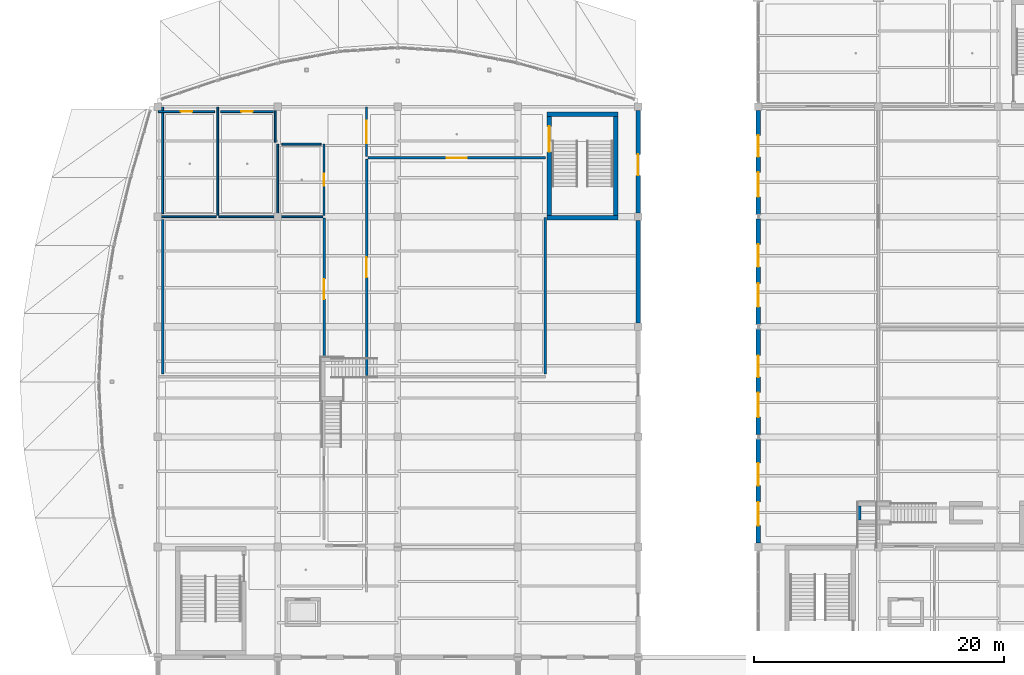
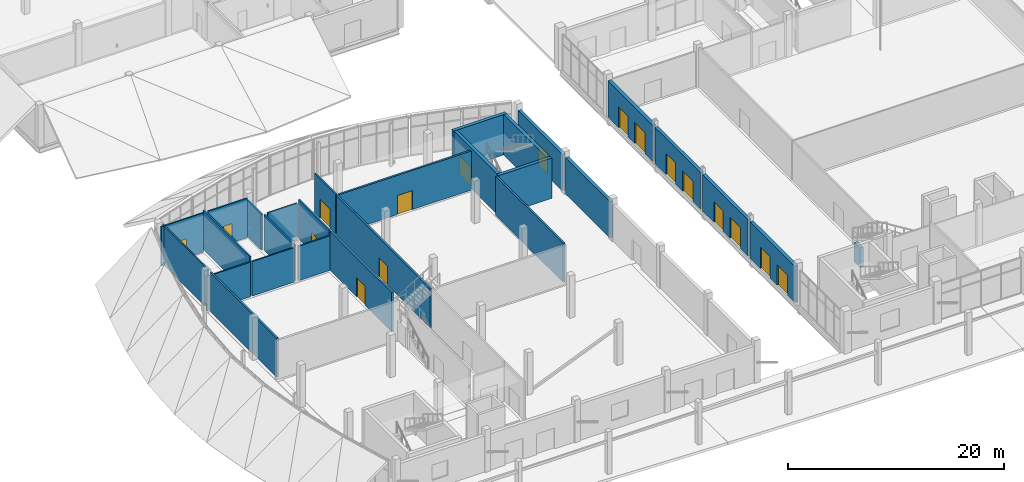
# One storey, part 77 of 116: 28 walls, 17 doors, 17 openings.
"""IFC4 building model written with IfcOpenShell, lengths in metres."""

from ifc_helpers import new_model, si_unit, direction, frame, frame_2d, origin, place, context, subcontext, project, spatial, rectangle, extrude, material, layer, layer_set, type_object, element, fill, save


model = new_model("IFC4")

# Units and contexts
model_context = context("Model", 3, precision=1e-05, world=origin(), true_north=direction((0.0, 1.0)))
body_context = subcontext(model_context, "Body", "Model", "MODEL_VIEW")
ifc_project = project(units=[si_unit("LENGTHUNIT", "METRE"), si_unit("AREAUNIT", "SQUARE_METRE"), si_unit("VOLUMEUNIT", "CUBIC_METRE"), si_unit("PLANEANGLEUNIT", "RADIAN"), si_unit("MASSUNIT", "GRAM", prefix="KILO")], contexts=[model_context])

# Site, building, storey
site_placement = place(None, origin())
site = spatial("IfcSite", under=ifc_project, at=site_placement, CompositionType="ELEMENT")
building_placement = place(site_placement, origin())
building = spatial("IfcBuilding", under=site, at=building_placement, Name="Chalmorin Arch Market", CompositionType="ELEMENT")
storey_placement = place(building_placement, origin())
storey = spatial("IfcBuildingStorey", under=building, at=storey_placement, Name="L00", CompositionType="ELEMENT", Elevation=0.0)

# Walls
ifc_material_1 = material(Name="Concrete C40/50", Category="concrete")
ifc_layer_1 = layer(ifc_material_1, 0.35009765625)
ifc_layer_set_1 = layer_set([ifc_layer_1], Name="Concrete C40/50")
wall_type_1 = type_object("IfcWallType", Name="CoreShearWall-350", PredefinedType="SHEAR", material=ifc_layer_set_1)
for number, where, z_axis, x_axis, name in (
    (1, (36.77490234375, 41.10009765625, 0.0), (0.0, 0.0, 1.0), (-1.0, 0.0, 0.0), "CSW-350-021"),
    (2, (31.125, 49.39990234375, 0.0), (0.0, 0.0, 1.0), (1.0, 0.0, 0.0), "CSW-350-022"),
):
    element("IfcWall", number, at=place(storey_placement, frame(where, z_axis=z_axis, x_axis=x_axis)), inside=storey, type_object=wall_type_1, Name=name, PredefinedType="SHEAR", context=body_context, shape_type="SweptSolid", body=[
        extrude(rectangle(XDim=5.64990234375, YDim=0.35009765625, at=frame_2d((2.824951171875, 0.0))), origin(), (0.0, 0.0, 1.0), 4.550048828125),
    ])

# Wall, opening, door
wall_1_placement = place(storey_placement, frame((31.300048828125, 41.27490234375, 0.0), z_axis=(0.0, 0.0, 1.0), x_axis=(0.0, 1.0, 0.0)))
wall_1 = element("IfcWall", 3, at=wall_1_placement, inside=storey, type_object=wall_type_1, Name="CSW-350-023", PredefinedType="SHEAR", context=body_context, shape_type="SweptSolid", body=[
    extrude(rectangle(XDim=7.9501953125, YDim=0.35009765625, at=frame_2d((3.97509765625, 0.0))), origin(), (0.0, 0.0, 1.0), 4.550048828125),
])
opening_1_placement = place(wall_1_placement, frame((5.10009765625, 0.0, 0.0)))
opening_1 = element("IfcOpeningElement", 4, at=opening_1_placement, cuts=wall_1, Name="Opening FD-SC2-L00", PredefinedType="OPENING", context=body_context, shape_type="SweptSolid", body=[
    extrude(rectangle(XDim=2.050048828125, YDim=2.14990234375, at=frame_2d((1.02490234375, 1.074951171875))), frame((0.0, 0.18505859375, 0.0), z_axis=(0.0, -1.0, 0.0), x_axis=(1.0, 0.0, 0.0)), (0.0, 0.0, 1.0), 0.3701171875),
])
ifc_material_2 = material(Name="Galvanised Steel", Category="steel")
door_type_1 = type_object("IfcDoorType", Name="DoubleFireExitDoor-2050x2150", OperationType="DOUBLE_DOOR_SINGLE_SWING", PredefinedType="DOOR", material=ifc_material_2)
door_1_placement = place(opening_1_placement, origin())
door_1 = element("IfcDoor", 5, at=door_1_placement, inside=storey, type_object=door_type_1, Name="FD-SC2-L00", OperationType="DOUBLE_DOOR_SINGLE_SWING", OverallHeight=2.14990234375, OverallWidth=2.050048828125, PredefinedType="DOOR", context=body_context, shape_type="SweptSolid", body=[
    extrude(rectangle(XDim=2.050048828125, YDim=2.14990234375, at=frame_2d((1.02490234375, 1.074951171875))), frame((0.0, 0.02490234375, 0.0), z_axis=(0.0, -1.0, 0.0), x_axis=(1.0, 0.0, 0.0)), (0.0, 0.0, 1.0), 0.050048828125),
])
fill(opening_1, door_1)

# Walls
wall_2_placement = place(storey_placement, frame((36.60009765625, 49.22509765625, 0.0), z_axis=(0.0, 0.0, 1.0), x_axis=(0.0, -1.0, 0.0)))
element("IfcWall", 6, at=wall_2_placement, inside=storey, type_object=wall_type_1, Name="CSW-350-024", PredefinedType="SHEAR", context=body_context, shape_type="SweptSolid", body=[
    extrude(rectangle(XDim=7.9501953125, YDim=0.35009765625, at=frame_2d((3.97509765625, 0.0))), origin(), (0.0, 0.0, 1.0), 4.550048828125),
])
wall_3_placement = place(storey_placement, frame((56.050048828125, 16.97509765625, 0.0), z_axis=(0.0, 0.0, 1.0), x_axis=(0.0, 1.0, 0.0)))
element("IfcWall", 7, at=wall_3_placement, inside=storey, type_object=wall_type_1, Name="CSW-350-146", PredefinedType="SHEAR", context=body_context, shape_type="SweptSolid", body=[
    extrude(rectangle(XDim=1.099853515625, YDim=0.35009765625, at=frame_2d((0.5498046875, 0.0))), origin(), (0.0, 0.0, 1.0), 2.205078125),
])

# Wall, opening, door
ifc_material_3 = material(Name="Gypsum Board Partition")
ifc_layer_2 = layer(ifc_material_3, 0.159912109375)
ifc_layer_set_2 = layer_set([ifc_layer_2], Name="Gypsum Board Partition")
wall_type_2 = type_object("IfcWallType", Name="CorridorRatedPartition-160", PredefinedType="PARTITIONING", material=ifc_layer_set_2)
wall_4_placement = place(storey_placement, frame((16.699951171875, 46.0, 0.0), z_axis=(0.0, 0.0, 1.0), x_axis=(0.0, 1.0, 0.0)))
wall_4 = element("IfcWall", 8, at=wall_4_placement, inside=storey, type_object=wall_type_2, Name="CRP-160-428", PredefinedType="PARTITIONING", context=body_context, shape_type="SweptSolid", body=[
    extrude(rectangle(XDim=3.949951171875, YDim=0.159912109375, at=frame_2d((1.97509765625, 0.0))), origin(), (0.0, 0.0, 1.0), 4.419921875),
])
opening_2_placement = place(wall_4_placement, frame((1.074951171875, 0.0, 0.0)))
opening_2 = element("IfcOpeningElement", 9, at=opening_2_placement, cuts=wall_4, Name="Opening ID-122", PredefinedType="OPENING", context=body_context, shape_type="SweptSolid", body=[
    extrude(rectangle(XDim=1.800048828125, YDim=2.14990234375, at=frame_2d((0.89990234375, 1.074951171875))), frame((0.0, 0.08984375, 0.0), z_axis=(0.0, -1.0, 0.0), x_axis=(1.0, 0.0, 0.0)), (0.0, 0.0, 1.0), 0.179931640625),
])
door_type_2 = type_object("IfcDoorType", Name="CorridorFireDoubleDoor-1800x2150", OperationType="DOUBLE_DOOR_SINGLE_SWING", PredefinedType="DOOR", material=ifc_material_2)
door_2_placement = place(opening_2_placement, origin())
door_2 = element("IfcDoor", 10, at=door_2_placement, inside=storey, type_object=door_type_2, Name="ID-122", OperationType="DOUBLE_DOOR_SINGLE_SWING", OverallHeight=2.14990234375, OverallWidth=1.800048828125, PredefinedType="DOOR", context=body_context, shape_type="SweptSolid", body=[
    extrude(rectangle(XDim=1.800048828125, YDim=2.14990234375, at=frame_2d((0.89990234375, 1.074951171875))), frame((0.0, 0.02490234375, 0.0), z_axis=(0.0, -1.0, 0.0), x_axis=(1.0, 0.0, 0.0)), (0.0, 0.0, 1.0), 0.050048828125),
])
fill(opening_2, door_2)

ifc_material_4 = material(Name="Concrete C30/37", Category="concrete")
ifc_layer_3 = layer(ifc_material_4, 0.199951171875)
ifc_layer_set_3 = layer_set([ifc_layer_3], Name="Concrete C30/37")
wall_type_3 = type_object("IfcWallType", Name="FireCompartmentWall-200", PredefinedType="PARTITIONING", material=ifc_layer_set_3)
wall_5_placement = place(storey_placement, frame((13.300048828125, 29.705078125, 0.0), z_axis=(0.0, 0.0, 1.0), x_axis=(0.0, 1.0, 0.0)))
wall_5 = element("IfcWall", 11, at=wall_5_placement, inside=storey, type_object=wall_type_3, Name="FCW-200-421", PredefinedType="PARTITIONING", context=body_context, shape_type="SweptSolid", body=[
    extrude(rectangle(XDim=11.39501953125, YDim=0.199951171875, at=frame_2d((5.697509765625, 0.0))), origin(), (0.0, 0.0, 1.0), 4.419921875),
])
opening_3_placement = place(wall_5_placement, frame((4.89794921875, 0.0, 0.0)))
opening_3 = element("IfcOpeningElement", 12, at=opening_3_placement, cuts=wall_5, Name="Opening ID-118", PredefinedType="OPENING", context=body_context, shape_type="SweptSolid", body=[
    extrude(rectangle(XDim=1.60009765625, YDim=2.14990234375, at=frame_2d((0.800048828125, 1.074951171875))), frame((0.0, 0.10986328125, 0.0), z_axis=(0.0, -1.0, 0.0), x_axis=(1.0, 0.0, 0.0)), (0.0, 0.0, 1.0), 0.219970703125),
])
ifc_material_5 = material(Name="Stainless Steel 316", Category="steel")
door_type_3 = type_object("IfcDoorType", Name="TeachingKitchenDoubleDoor-1600x2150", OperationType="DOUBLE_DOOR_SINGLE_SWING", PredefinedType="DOOR", material=ifc_material_5)
door_3_placement = place(opening_3_placement, origin())
door_3 = element("IfcDoor", 13, at=door_3_placement, inside=storey, type_object=door_type_3, Name="ID-118", OperationType="DOUBLE_DOOR_SINGLE_SWING", OverallHeight=2.14990234375, OverallWidth=1.60009765625, PredefinedType="DOOR", context=body_context, shape_type="SweptSolid", body=[
    extrude(rectangle(XDim=1.60009765625, YDim=2.14990234375, at=frame_2d((0.800048828125, 1.074951171875))), frame((0.0, 0.02490234375, 0.0), z_axis=(0.0, -1.0, 0.0), x_axis=(1.0, 0.0, 0.0)), (0.0, 0.0, 1.0), 0.050048828125),
])
fill(opening_3, door_3)

wall_6_placement = place(storey_placement, frame((16.699951171875, 28.5, 0.0), z_axis=(0.0, 0.0, 1.0), x_axis=(0.0, 1.0, 0.0)))
wall_6 = element("IfcWall", 14, at=wall_6_placement, inside=storey, type_object=wall_type_3, Name="FCW-200-425", PredefinedType="PARTITIONING", context=body_context, shape_type="SweptSolid", body=[
    extrude(rectangle(XDim=17.300048828125, YDim=0.199951171875, at=frame_2d((8.64990234375, 0.0))), origin(), (0.0, 0.0, 1.0), 4.419921875),
])
opening_4_placement = place(wall_6_placement, frame((7.85009765625, 0.0, 0.0)))
opening_4 = element("IfcOpeningElement", 15, at=opening_4_placement, cuts=wall_6, Name="Opening ID-119", PredefinedType="OPENING", context=body_context, shape_type="SweptSolid", body=[
    extrude(rectangle(XDim=1.60009765625, YDim=2.14990234375, at=frame_2d((0.800048828125, 1.074951171875))), frame((0.0, 0.10986328125, 0.0), z_axis=(0.0, -1.0, 0.0), x_axis=(1.0, 0.0, 0.0)), (0.0, 0.0, 1.0), 0.219970703125),
])
door_4_placement = place(opening_4_placement, origin())
door_4 = element("IfcDoor", 16, at=door_4_placement, inside=storey, type_object=door_type_3, Name="ID-119", OperationType="DOUBLE_DOOR_SINGLE_SWING", OverallHeight=2.14990234375, OverallWidth=1.60009765625, PredefinedType="DOOR", context=body_context, shape_type="SweptSolid", body=[
    extrude(rectangle(XDim=1.60009765625, YDim=2.14990234375, at=frame_2d((0.800048828125, 1.074951171875))), frame((0.0, 0.02490234375, 0.0), z_axis=(0.0, -1.0, 0.0), x_axis=(1.0, 0.0, 0.0)), (0.0, 0.0, 1.0), 0.050048828125),
])
fill(opening_4, door_4)

wall_7_placement = place(storey_placement, frame((16.800048828125, 45.89990234375, 0.0), z_axis=(0.0, 0.0, 1.0), x_axis=(1.0, 0.0, 0.0)))
wall_7 = element("IfcWall", 17, at=wall_7_placement, inside=storey, type_object=wall_type_3, Name="FCW-200-426", PredefinedType="PARTITIONING", context=body_context, shape_type="SweptSolid", body=[
    extrude(rectangle(XDim=14.199951171875, YDim=0.199951171875, at=frame_2d((7.10009765625, 0.0))), origin(), (0.0, 0.0, 1.0), 4.419921875),
])
opening_5_placement = place(wall_7_placement, frame((6.300048828125, 0.0, 0.0)))
opening_5 = element("IfcOpeningElement", 18, at=opening_5_placement, cuts=wall_7, Name="Opening ID-120", PredefinedType="OPENING", context=body_context, shape_type="SweptSolid", body=[
    extrude(rectangle(XDim=1.60009765625, YDim=2.14990234375, at=frame_2d((0.800048828125, 1.074951171875))), frame((0.0, 0.10986328125, 0.0), z_axis=(0.0, -1.0, 0.0), x_axis=(1.0, 0.0, 0.0)), (0.0, 0.0, 1.0), 0.219970703125),
])
door_5_placement = place(opening_5_placement, origin())
door_5 = element("IfcDoor", 19, at=door_5_placement, inside=storey, type_object=door_type_3, Name="ID-120", OperationType="DOUBLE_DOOR_SINGLE_SWING", OverallHeight=2.14990234375, OverallWidth=1.60009765625, PredefinedType="DOOR", context=body_context, shape_type="SweptSolid", body=[
    extrude(rectangle(XDim=1.60009765625, YDim=2.14990234375, at=frame_2d((0.800048828125, 1.074951171875))), frame((0.0, 0.02490234375, 0.0), z_axis=(0.0, -1.0, 0.0), x_axis=(1.0, 0.0, 0.0)), (0.0, 0.0, 1.0), 0.050048828125),
])
fill(opening_5, door_5)

# Walls
wall_8_placement = place(storey_placement, frame((0.39990234375, 28.639892578125, 0.0), z_axis=(0.0, 0.0, 1.0), x_axis=(0.0, 1.0, 0.0)))
element("IfcWall", 20, at=wall_8_placement, inside=storey, type_object=wall_type_3, Name="FCW-200-459", PredefinedType="PARTITIONING", context=body_context, shape_type="SweptSolid", body=[
    extrude(rectangle(XDim=12.320068359375, YDim=0.199951171875, at=frame_2d((6.16015625, 0.0))), origin(), (0.0, 0.0, 1.0), 4.419921875),
])
wall_9_placement = place(storey_placement, frame((31.0, 28.639892578125, 0.0), z_axis=(0.0, 0.0, 1.0), x_axis=(0.0, 1.0, 0.0)))
element("IfcWall", 21, at=wall_9_placement, inside=storey, type_object=wall_type_3, Name="FCW-200-460", PredefinedType="PARTITIONING", context=body_context, shape_type="SweptSolid", body=[
    extrude(rectangle(XDim=12.4951171875, YDim=0.199951171875, at=frame_2d((6.24755859375, 0.0))), origin(), (0.0, 0.0, 1.0), 4.419921875),
])

# Wall, openings, doors
ifc_material_6 = material(Name="Concrete C35/45", Category="concrete")
ifc_layer_4 = layer(ifc_material_6, 0.35009765625)
ifc_layer_set_4 = layer_set([ifc_layer_4], Name="Concrete C35/45")
wall_type_4 = type_object("IfcWallType", Name="PlinthPerimeterWall-350", PredefinedType="SOLIDWALL", material=ifc_layer_set_4)
wall_10_placement = place(storey_placement, frame((48.0, 15.10009765625, 0.0), z_axis=(0.0, 0.0, 1.0), x_axis=(0.0, 1.0, 0.0)))
wall_10 = element("IfcWall", 22, at=wall_10_placement, inside=storey, type_object=wall_type_4, Name="PPW-350-114", PredefinedType="SOLIDWALL", context=body_context, shape_type="SweptSolid", body=[
    extrude(rectangle(XDim=8.31591796875, YDim=0.35009765625, at=frame_2d((4.157958984375, 0.0))), origin(), (0.0, 0.0, 1.0), 4.10009765625),
])
opening_6_placement = place(wall_10_placement, frame((1.39990234375, 0.0, 0.0)))
opening_6 = element("IfcOpeningElement", 23, at=opening_6_placement, cuts=wall_10, Name="Opening ED-015", PredefinedType="OPENING", context=body_context, shape_type="SweptSolid", body=[
    extrude(rectangle(XDim=1.8798828125, YDim=2.31005859375, at=frame_2d((0.93994140625, 1.155029296875))), frame((0.0, 0.18505859375, 0.0), z_axis=(0.0, -1.0, 0.0), x_axis=(1.0, 0.0, 0.0)), (0.0, 0.0, 1.0), 0.3701171875),
])
opening_7_placement = place(wall_10_placement, frame((4.60009765625, 0.0, 0.0)))
opening_7 = element("IfcOpeningElement", 24, at=opening_7_placement, cuts=wall_10, Name="Opening ED-016", PredefinedType="OPENING", context=body_context, shape_type="SweptSolid", body=[
    extrude(rectangle(XDim=1.800048828125, YDim=2.39990234375, at=frame_2d((0.89990234375, 1.199951171875))), frame((0.0, 0.18505859375, 0.0), z_axis=(0.0, -1.0, 0.0), x_axis=(1.0, 0.0, 0.0)), (0.0, 0.0, 1.0), 0.3701171875),
])
ifc_material_7 = material(Name="Aluminium 6063-T6", Category="aluminium")
door_type_4 = type_object("IfcDoorType", Name="DoubleStorefrontDoor-1800x2400", OperationType="DOUBLE_DOOR_SINGLE_SWING", PredefinedType="DOOR", material=ifc_material_7)
door_6_placement = place(opening_7_placement, origin())
door_6 = element("IfcDoor", 25, at=door_6_placement, inside=storey, type_object=door_type_4, Name="ED-016", OperationType="DOUBLE_DOOR_SINGLE_SWING", OverallHeight=2.39990234375, OverallWidth=1.800048828125, PredefinedType="DOOR", context=body_context, shape_type="SweptSolid", body=[
    extrude(rectangle(XDim=1.800048828125, YDim=2.39990234375, at=frame_2d((0.89990234375, 1.199951171875))), frame((0.0, 0.02490234375, 0.0), z_axis=(0.0, -1.0, 0.0), x_axis=(1.0, 0.0, 0.0)), (0.0, 0.0, 1.0), 0.050048828125),
])
fill(opening_7, door_6)
door_type_5 = type_object("IfcDoorType", Name="DoubleStorefrontDoor-2000x2400-1880x2310", OperationType="DOUBLE_DOOR_SINGLE_SWING", PredefinedType="DOOR", material=ifc_material_7)
door_7_placement = place(opening_6_placement, origin())
door_7 = element("IfcDoor", 26, at=door_7_placement, inside=storey, type_object=door_type_5, Name="ED-015", OperationType="DOUBLE_DOOR_SINGLE_SWING", OverallHeight=2.31005859375, OverallWidth=1.8798828125, PredefinedType="DOOR", context=body_context, shape_type="SweptSolid", body=[
    extrude(rectangle(XDim=1.8798828125, YDim=2.31005859375, at=frame_2d((0.93994140625, 1.155029296875))), frame((0.0, 0.02490234375, 0.0), z_axis=(0.0, -1.0, 0.0), x_axis=(1.0, 0.0, 0.0)), (0.0, 0.0, 1.0), 0.050048828125),
])
fill(opening_6, door_7)

wall_11_placement = place(storey_placement, frame((48.0, 23.783935546875, 0.0), z_axis=(0.0, 0.0, 1.0), x_axis=(0.0, 1.0, 0.0)))
wall_11 = element("IfcWall", 27, at=wall_11_placement, inside=storey, type_object=wall_type_4, Name="PPW-350-116", PredefinedType="SOLIDWALL", context=body_context, shape_type="SweptSolid", body=[
    extrude(rectangle(XDim=8.43212890625, YDim=0.35009765625, at=frame_2d((4.216064453125, 0.0))), origin(), (0.0, 0.0, 1.0), 4.10009765625),
])
opening_8_placement = place(wall_11_placement, frame((1.39990234375, 0.0, 0.0)))
opening_8 = element("IfcOpeningElement", 28, at=opening_8_placement, cuts=wall_11, Name="Opening ED-017", PredefinedType="OPENING", context=body_context, shape_type="SweptSolid", body=[
    extrude(rectangle(XDim=1.9599609375, YDim=2.3701171875, at=frame_2d((0.97998046875, 1.18505859375))), frame((0.0, 0.18505859375, 0.0), z_axis=(0.0, -1.0, 0.0), x_axis=(1.0, 0.0, 0.0)), (0.0, 0.0, 1.0), 0.3701171875),
])
opening_9_placement = place(wall_11_placement, frame((4.60009765625, 0.0, 0.0)))
opening_9 = element("IfcOpeningElement", 29, at=opening_9_placement, cuts=wall_11, Name="Opening ED-018", PredefinedType="OPENING", context=body_context, shape_type="SweptSolid", body=[
    extrude(rectangle(XDim=1.719970703125, YDim=2.340087890625, at=frame_2d((0.85986328125, 1.169921875))), frame((0.0, 0.18505859375, 0.0), z_axis=(0.0, -1.0, 0.0), x_axis=(1.0, 0.0, 0.0)), (0.0, 0.0, 1.0), 0.3701171875),
])
door_type_6 = type_object("IfcDoorType", Name="DoubleStorefrontDoor-1800x2400-1720x2340", OperationType="DOUBLE_DOOR_SINGLE_SWING", PredefinedType="DOOR", material=ifc_material_7)
door_8_placement = place(opening_9_placement, origin())
door_8 = element("IfcDoor", 30, at=door_8_placement, inside=storey, type_object=door_type_6, Name="ED-018", OperationType="DOUBLE_DOOR_SINGLE_SWING", OverallHeight=2.340087890625, OverallWidth=1.719970703125, PredefinedType="DOOR", context=body_context, shape_type="SweptSolid", body=[
    extrude(rectangle(XDim=1.719970703125, YDim=2.340087890625, at=frame_2d((0.85986328125, 1.169921875))), frame((0.0, 0.02490234375, 0.0), z_axis=(0.0, -1.0, 0.0), x_axis=(1.0, 0.0, 0.0)), (0.0, 0.0, 1.0), 0.050048828125),
])
fill(opening_9, door_8)
door_type_7 = type_object("IfcDoorType", Name="DoubleStorefrontDoor-2000x2400-1960x2370", OperationType="DOUBLE_DOOR_SINGLE_SWING", PredefinedType="DOOR", material=ifc_material_7)
door_9_placement = place(opening_8_placement, origin())
door_9 = element("IfcDoor", 31, at=door_9_placement, inside=storey, type_object=door_type_7, Name="ED-017", OperationType="DOUBLE_DOOR_SINGLE_SWING", OverallHeight=2.3701171875, OverallWidth=1.9599609375, PredefinedType="DOOR", context=body_context, shape_type="SweptSolid", body=[
    extrude(rectangle(XDim=1.9599609375, YDim=2.3701171875, at=frame_2d((0.97998046875, 1.18505859375))), frame((0.0, 0.02490234375, 0.0), z_axis=(0.0, -1.0, 0.0), x_axis=(1.0, 0.0, 0.0)), (0.0, 0.0, 1.0), 0.050048828125),
])
fill(opening_8, door_9)

wall_12_placement = place(storey_placement, frame((48.0, 32.583984375, 0.0), z_axis=(0.0, 0.0, 1.0), x_axis=(0.0, 1.0, 0.0)))
wall_12 = element("IfcWall", 32, at=wall_12_placement, inside=storey, type_object=wall_type_4, Name="PPW-350-118", PredefinedType="SOLIDWALL", context=body_context, shape_type="SweptSolid", body=[
    extrude(rectangle(XDim=8.43212890625, YDim=0.35009765625, at=frame_2d((4.216064453125, 0.0))), origin(), (0.0, 0.0, 1.0), 4.10009765625),
])
opening_10_placement = place(wall_12_placement, frame((1.39990234375, 0.0, 0.0)))
opening_10 = element("IfcOpeningElement", 33, at=opening_10_placement, cuts=wall_12, Name="Opening ED-019", PredefinedType="OPENING", context=body_context, shape_type="SweptSolid", body=[
    extrude(rectangle(XDim=1.8798828125, YDim=2.31005859375, at=frame_2d((0.93994140625, 1.155029296875))), frame((0.0, 0.18505859375, 0.0), z_axis=(0.0, -1.0, 0.0), x_axis=(1.0, 0.0, 0.0)), (0.0, 0.0, 1.0), 0.3701171875),
])
opening_11_placement = place(wall_12_placement, frame((4.60009765625, 0.0, 0.0)))
opening_11 = element("IfcOpeningElement", 34, at=opening_11_placement, cuts=wall_12, Name="Opening ED-020", PredefinedType="OPENING", context=body_context, shape_type="SweptSolid", body=[
    extrude(rectangle(XDim=1.800048828125, YDim=2.39990234375, at=frame_2d((0.89990234375, 1.199951171875))), frame((0.0, 0.18505859375, 0.0), z_axis=(0.0, -1.0, 0.0), x_axis=(1.0, 0.0, 0.0)), (0.0, 0.0, 1.0), 0.3701171875),
])
door_10_placement = place(opening_11_placement, origin())
door_10 = element("IfcDoor", 35, at=door_10_placement, inside=storey, type_object=door_type_4, Name="ED-020", OperationType="DOUBLE_DOOR_SINGLE_SWING", OverallHeight=2.39990234375, OverallWidth=1.800048828125, PredefinedType="DOOR", context=body_context, shape_type="SweptSolid", body=[
    extrude(rectangle(XDim=1.800048828125, YDim=2.39990234375, at=frame_2d((0.89990234375, 1.199951171875))), frame((0.0, 0.02490234375, 0.0), z_axis=(0.0, -1.0, 0.0), x_axis=(1.0, 0.0, 0.0)), (0.0, 0.0, 1.0), 0.050048828125),
])
fill(opening_11, door_10)
door_11_placement = place(opening_10_placement, origin())
door_11 = element("IfcDoor", 36, at=door_11_placement, inside=storey, type_object=door_type_5, Name="ED-019", OperationType="DOUBLE_DOOR_SINGLE_SWING", OverallHeight=2.31005859375, OverallWidth=1.8798828125, PredefinedType="DOOR", context=body_context, shape_type="SweptSolid", body=[
    extrude(rectangle(XDim=1.8798828125, YDim=2.31005859375, at=frame_2d((0.93994140625, 1.155029296875))), frame((0.0, 0.02490234375, 0.0), z_axis=(0.0, -1.0, 0.0), x_axis=(1.0, 0.0, 0.0)), (0.0, 0.0, 1.0), 0.050048828125),
])
fill(opening_10, door_11)

wall_13_placement = place(storey_placement, frame((48.0, 41.384033203125, 0.0), z_axis=(0.0, 0.0, 1.0), x_axis=(0.0, 1.0, 0.0)))
wall_13 = element("IfcWall", 37, at=wall_13_placement, inside=storey, type_object=wall_type_4, Name="PPW-350-120", PredefinedType="SOLIDWALL", context=body_context, shape_type="SweptSolid", body=[
    extrude(rectangle(XDim=8.31591796875, YDim=0.35009765625, at=frame_2d((4.157958984375, 0.0))), origin(), (0.0, 0.0, 1.0), 4.10009765625),
])
opening_12_placement = place(wall_13_placement, frame((1.39990234375, 0.0, 0.0)))
opening_12 = element("IfcOpeningElement", 38, at=opening_12_placement, cuts=wall_13, Name="Opening ED-021", PredefinedType="OPENING", context=body_context, shape_type="SweptSolid", body=[
    extrude(rectangle(XDim=1.9599609375, YDim=2.3701171875, at=frame_2d((0.97998046875, 1.18505859375))), frame((0.0, 0.18505859375, 0.0), z_axis=(0.0, -1.0, 0.0), x_axis=(1.0, 0.0, 0.0)), (0.0, 0.0, 1.0), 0.3701171875),
])
opening_13_placement = place(wall_13_placement, frame((4.60009765625, 0.0, 0.0)))
opening_13 = element("IfcOpeningElement", 39, at=opening_13_placement, cuts=wall_13, Name="Opening ED-022", PredefinedType="OPENING", context=body_context, shape_type="SweptSolid", body=[
    extrude(rectangle(XDim=1.719970703125, YDim=2.340087890625, at=frame_2d((0.85986328125, 1.169921875))), frame((0.0, 0.18505859375, 0.0), z_axis=(0.0, -1.0, 0.0), x_axis=(1.0, 0.0, 0.0)), (0.0, 0.0, 1.0), 0.3701171875),
])
door_12_placement = place(opening_13_placement, origin())
door_12 = element("IfcDoor", 40, at=door_12_placement, inside=storey, type_object=door_type_6, Name="ED-022", OperationType="DOUBLE_DOOR_SINGLE_SWING", OverallHeight=2.340087890625, OverallWidth=1.719970703125, PredefinedType="DOOR", context=body_context, shape_type="SweptSolid", body=[
    extrude(rectangle(XDim=1.719970703125, YDim=2.340087890625, at=frame_2d((0.85986328125, 1.169921875))), frame((0.0, 0.02490234375, 0.0), z_axis=(0.0, -1.0, 0.0), x_axis=(1.0, 0.0, 0.0)), (0.0, 0.0, 1.0), 0.050048828125),
])
fill(opening_13, door_12)
door_13_placement = place(opening_12_placement, origin())
door_13 = element("IfcDoor", 41, at=door_13_placement, inside=storey, type_object=door_type_7, Name="ED-021", OperationType="DOUBLE_DOOR_SINGLE_SWING", OverallHeight=2.3701171875, OverallWidth=1.9599609375, PredefinedType="DOOR", context=body_context, shape_type="SweptSolid", body=[
    extrude(rectangle(XDim=1.9599609375, YDim=2.3701171875, at=frame_2d((0.97998046875, 1.18505859375))), frame((0.0, 0.02490234375, 0.0), z_axis=(0.0, -1.0, 0.0), x_axis=(1.0, 0.0, 0.0)), (0.0, 0.0, 1.0), 0.050048828125),
])
fill(opening_12, door_13)

# Wall
wall_14_placement = place(storey_placement, frame((38.39990234375, 32.699951171875, 0.0), z_axis=(0.0, 0.0, 1.0), x_axis=(0.0, 1.0, 0.0)))
element("IfcWall", 42, at=wall_14_placement, inside=storey, type_object=wall_type_4, Name="PPW-350-176", PredefinedType="SOLIDWALL", context=body_context, shape_type="SweptSolid", body=[
    extrude(rectangle(XDim=8.199951171875, YDim=0.35009765625, at=frame_2d((4.10009765625, 0.0))), origin(), (0.0, 0.0, 1.0), 4.10009765625),
])

# Wall, opening, door
wall_15_placement = place(storey_placement, frame((38.39990234375, 41.5, 0.0), z_axis=(0.0, 0.0, 1.0), x_axis=(0.0, 1.0, 0.0)))
wall_15 = element("IfcWall", 43, at=wall_15_placement, inside=storey, type_object=wall_type_4, Name="PPW-350-177", PredefinedType="SOLIDWALL", context=body_context, shape_type="SweptSolid", body=[
    extrude(rectangle(XDim=8.199951171875, YDim=0.35009765625, at=frame_2d((4.10009765625, 0.0))), origin(), (0.0, 0.0, 1.0), 4.10009765625),
])
opening_14_placement = place(wall_15_placement, frame((3.0, 0.0, 0.0)))
opening_14 = element("IfcOpeningElement", 44, at=opening_14_placement, cuts=wall_15, Name="Opening ED-039", PredefinedType="OPENING", context=body_context, shape_type="SweptSolid", body=[
    extrude(rectangle(XDim=1.679931640625, YDim=2.31005859375, at=frame_2d((0.83984375, 1.155029296875))), frame((0.0, 0.18505859375, 0.0), z_axis=(0.0, -1.0, 0.0), x_axis=(1.0, 0.0, 0.0)), (0.0, 0.0, 1.0), 0.3701171875),
])
door_type_8 = type_object("IfcDoorType", Name="DoubleStorefrontDoor-1800x2400-1680x2310", OperationType="DOUBLE_DOOR_SINGLE_SWING", PredefinedType="DOOR", material=ifc_material_7)
door_14_placement = place(opening_14_placement, origin())
door_14 = element("IfcDoor", 45, at=door_14_placement, inside=storey, type_object=door_type_8, Name="ED-039", OperationType="DOUBLE_DOOR_SINGLE_SWING", OverallHeight=2.31005859375, OverallWidth=1.679931640625, PredefinedType="DOOR", context=body_context, shape_type="SweptSolid", body=[
    extrude(rectangle(XDim=1.679931640625, YDim=2.31005859375, at=frame_2d((0.83984375, 1.155029296875))), frame((0.0, 0.02490234375, 0.0), z_axis=(0.0, -1.0, 0.0), x_axis=(1.0, 0.0, 0.0)), (0.0, 0.0, 1.0), 0.050048828125),
])
fill(opening_14, door_14)

# Walls
ifc_layer_5 = layer(ifc_material_4, 0.14990234375)
ifc_layer_set_5 = layer_set([ifc_layer_5], Name="Concrete C30/37")
wall_type_5 = type_object("IfcWallType", Name="WetAreaTilePartition-150", PredefinedType="PARTITIONING", material=ifc_layer_set_5)
wall_16_placement = place(storey_placement, frame((0.050048828125, 41.199951171875, 0.0), z_axis=(0.0, 0.0, 1.0), x_axis=(1.0, 0.0, 0.0)))
element("IfcWall", 46, at=wall_16_placement, inside=storey, type_object=wall_type_5, Name="WTP-150-422", PredefinedType="PARTITIONING", context=body_context, shape_type="SweptSolid", body=[
    extrude(rectangle(XDim=4.64990234375, YDim=0.14990234375, at=frame_2d((2.324951171875, 0.0))), origin(), (0.0, 0.0, 1.0), 3.89501953125),
])
wall_17_placement = place(storey_placement, frame((4.89990234375, 41.199951171875, 0.0), z_axis=(0.0, 0.0, 1.0), x_axis=(1.0, 0.0, 0.0)))
element("IfcWall", 47, at=wall_17_placement, inside=storey, type_object=wall_type_5, Name="WTP-150-423", PredefinedType="PARTITIONING", context=body_context, shape_type="SweptSolid", body=[
    extrude(rectangle(XDim=4.5, YDim=0.14990234375, at=frame_2d((2.25, 0.0))), origin(), (0.0, 0.0, 1.0), 3.89501953125),
])
wall_18_placement = place(storey_placement, frame((9.800048828125, 41.199951171875, 0.0), z_axis=(0.0, 0.0, 1.0), x_axis=(1.0, 0.0, 0.0)))
element("IfcWall", 48, at=wall_18_placement, inside=storey, type_object=wall_type_5, Name="WTP-150-424", PredefinedType="PARTITIONING", context=body_context, shape_type="SweptSolid", body=[
    extrude(rectangle(XDim=3.39990234375, YDim=0.14990234375, at=frame_2d((1.699951171875, 0.0))), origin(), (0.0, 0.0, 1.0), 3.89501953125),
])

# Wall, opening, door
wall_19_placement = place(storey_placement, frame((13.300048828125, 41.300048828125, 0.0), z_axis=(0.0, 0.0, 1.0), x_axis=(0.0, 1.0, 0.0)))
wall_19 = element("IfcWall", 49, at=wall_19_placement, inside=storey, type_object=wall_type_5, Name="WTP-150-429", PredefinedType="PARTITIONING", context=body_context, shape_type="SweptSolid", body=[
    extrude(rectangle(XDim=5.699951171875, YDim=0.14990234375, at=frame_2d((2.85009765625, 0.0))), origin(), (0.0, 0.0, 1.0), 4.419921875),
])
opening_15_placement = place(wall_19_placement, frame((2.375, 0.0, 0.0)))
opening_15 = element("IfcOpeningElement", 50, at=opening_15_placement, cuts=wall_19, Name="Opening ID-123", PredefinedType="OPENING", context=body_context, shape_type="SweptSolid", body=[
    extrude(rectangle(XDim=0.949951171875, YDim=2.14990234375, at=frame_2d((0.47509765625, 1.074951171875))), frame((0.0, 0.0849609375, 0.0), z_axis=(0.0, -1.0, 0.0), x_axis=(1.0, 0.0, 0.0)), (0.0, 0.0, 1.0), 0.169921875),
])
ifc_material_8 = material(Name="Oak Engineered Timber", Category="wood")
door_type_9 = type_object("IfcDoorType", Name="AccessibleWCDoor-950x2150", OperationType="NOTDEFINED", PredefinedType="DOOR", material=ifc_material_8)
door_15_placement = place(opening_15_placement, origin())
door_15 = element("IfcDoor", 51, at=door_15_placement, inside=storey, type_object=door_type_9, Name="ID-123", OperationType="SINGLE_SWING_LEFT", OverallHeight=2.14990234375, OverallWidth=0.949951171875, PredefinedType="DOOR", context=body_context, shape_type="SweptSolid", body=[
    extrude(rectangle(XDim=0.949951171875, YDim=2.14990234375, at=frame_2d((0.47509765625, 1.074951171875))), frame((0.0, 0.02490234375, 0.0), z_axis=(0.0, -1.0, 0.0), x_axis=(1.0, 0.0, 0.0)), (0.0, 0.0, 1.0), 0.050048828125),
])
fill(opening_15, door_15)

# Walls
wall_20_placement = place(storey_placement, frame((4.800048828125, 41.300048828125, 0.0), z_axis=(0.0, 0.0, 1.0), x_axis=(0.0, 1.0, 0.0)))
element("IfcWall", 52, at=wall_20_placement, inside=storey, type_object=wall_type_5, Name="WTP-150-430", PredefinedType="PARTITIONING", context=body_context, shape_type="SweptSolid", body=[
    extrude(rectangle(XDim=8.64990234375, YDim=0.14990234375, at=frame_2d((4.324951171875, 0.0))), origin(), (0.0, 0.0, 1.0), 4.419921875),
])
wall_21_placement = place(storey_placement, frame((9.60009765625, 41.300048828125, 0.0), z_axis=(0.0, 0.0, 1.0), x_axis=(0.0, 1.0, 0.0)))
element("IfcWall", 53, at=wall_21_placement, inside=storey, type_object=wall_type_5, Name="WTP-150-431", PredefinedType="PARTITIONING", context=body_context, shape_type="SweptSolid", body=[
    extrude(rectangle(XDim=5.699951171875, YDim=0.14990234375, at=frame_2d((2.85009765625, 0.0))), origin(), (0.0, 0.0, 1.0), 4.037109375),
])

# Wall, opening, door
wall_22_placement = place(storey_placement, frame((0.050048828125, 49.60009765625, 0.0), z_axis=(0.0, 0.0, 1.0), x_axis=(1.0, 0.0, 0.0)))
wall_22 = element("IfcWall", 54, at=wall_22_placement, inside=storey, type_object=wall_type_5, Name="WTP-150-461", PredefinedType="PARTITIONING", context=body_context, shape_type="SweptSolid", body=[
    extrude(rectangle(XDim=4.510009765625, YDim=0.14990234375, at=frame_2d((2.2548828125, 0.0))), origin(), (0.0, 0.0, 1.0), 4.419921875),
])
opening_16_placement = place(wall_22_placement, frame((1.804931640625, 0.0, 0.0)))
opening_16 = element("IfcOpeningElement", 55, at=opening_16_placement, cuts=wall_22, Name="Opening ID-141", PredefinedType="OPENING", context=body_context, shape_type="SweptSolid", body=[
    extrude(rectangle(XDim=0.89990234375, YDim=2.14990234375, at=frame_2d((0.449951171875, 1.074951171875))), frame((0.0, 0.0849609375, 0.0), z_axis=(0.0, -1.0, 0.0), x_axis=(1.0, 0.0, 0.0)), (0.0, 0.0, 1.0), 0.169921875),
])
door_type_10 = type_object("IfcDoorType", Name="RestroomEntryDoor-900x2150", OperationType="NOTDEFINED", PredefinedType="DOOR", material=ifc_material_8)
door_16_placement = place(opening_16_placement, origin())
door_16 = element("IfcDoor", 56, at=door_16_placement, inside=storey, type_object=door_type_10, Name="ID-141", OperationType="SINGLE_SWING_LEFT", OverallHeight=2.14990234375, OverallWidth=0.89990234375, PredefinedType="DOOR", context=body_context, shape_type="SweptSolid", body=[
    extrude(rectangle(XDim=0.89990234375, YDim=2.14990234375, at=frame_2d((0.449951171875, 1.074951171875))), frame((0.0, 0.02490234375, 0.0), z_axis=(0.0, -1.0, 0.0), x_axis=(1.0, 0.0, 0.0)), (0.0, 0.0, 1.0), 0.050048828125),
])
fill(opening_16, door_16)

# Wall
wall_23_placement = place(storey_placement, frame((0.39990234375, 41.43994140625, 0.0), z_axis=(0.0, 0.0, 1.0), x_axis=(0.0, 1.0, 0.0)))
element("IfcWall", 57, at=wall_23_placement, inside=storey, type_object=wall_type_5, Name="WTP-150-462", PredefinedType="PARTITIONING", context=body_context, shape_type="SweptSolid", body=[
    extrude(rectangle(XDim=8.510009765625, YDim=0.14990234375, at=frame_2d((4.2548828125, 0.0))), origin(), (0.0, 0.0, 1.0), 4.419921875),
])

# Wall, opening, door
wall_24_placement = place(storey_placement, frame((5.0400390625, 49.60009765625, 0.0), z_axis=(0.0, 0.0, 1.0), x_axis=(1.0, 0.0, 0.0)))
wall_24 = element("IfcWall", 58, at=wall_24_placement, inside=storey, type_object=wall_type_5, Name="WTP-150-463", PredefinedType="PARTITIONING", context=body_context, shape_type="SweptSolid", body=[
    extrude(rectangle(XDim=4.219970703125, YDim=0.14990234375, at=frame_2d((2.10986328125, 0.0))), origin(), (0.0, 0.0, 1.0), 4.419921875),
])
opening_17_placement = place(wall_24_placement, frame((1.659912109375, 0.0, 0.0)))
opening_17 = element("IfcOpeningElement", 59, at=opening_17_placement, cuts=wall_24, Name="Opening ID-142", PredefinedType="OPENING", context=body_context, shape_type="SweptSolid", body=[
    extrude(rectangle(XDim=0.89990234375, YDim=2.14990234375, at=frame_2d((0.449951171875, 1.074951171875))), frame((0.0, 0.0849609375, 0.0), z_axis=(0.0, -1.0, 0.0), x_axis=(1.0, 0.0, 0.0)), (0.0, 0.0, 1.0), 0.169921875),
])
door_17_placement = place(opening_17_placement, origin())
door_17 = element("IfcDoor", 60, at=door_17_placement, inside=storey, type_object=door_type_10, Name="ID-142", OperationType="SINGLE_SWING_RIGHT", OverallHeight=2.14990234375, OverallWidth=0.89990234375, PredefinedType="DOOR", context=body_context, shape_type="SweptSolid", body=[
    extrude(rectangle(XDim=0.89990234375, YDim=2.14990234375, at=frame_2d((0.449951171875, 1.074951171875))), frame((0.0, 0.02490234375, 0.0), z_axis=(0.0, -1.0, 0.0), x_axis=(1.0, 0.0, 0.0)), (0.0, 0.0, 1.0), 0.050048828125),
])
fill(opening_17, door_17)

# Walls
wall_25_placement = place(storey_placement, frame((9.39990234375, 47.139892578125, 0.0), z_axis=(0.0, 0.0, 1.0), x_axis=(0.0, 1.0, 0.0)))
element("IfcWall", 61, at=wall_25_placement, inside=storey, type_object=wall_type_5, Name="WTP-150-464", PredefinedType="PARTITIONING", context=body_context, shape_type="SweptSolid", body=[
    extrude(rectangle(XDim=2.81005859375, YDim=0.14990234375, at=frame_2d((1.405029296875, 0.0))), origin(), (0.0, 0.0, 1.0), 4.037109375),
])
wall_26_placement = place(storey_placement, frame((9.93994140625, 47.0, 0.0), z_axis=(0.0, 0.0, 1.0), x_axis=(1.0, 0.0, 0.0)))
element("IfcWall", 62, at=wall_26_placement, inside=storey, type_object=wall_type_5, Name="WTP-150-465", PredefinedType="PARTITIONING", context=body_context, shape_type="SweptSolid", body=[
    extrude(rectangle(XDim=3.1201171875, YDim=0.14990234375, at=frame_2d((1.56005859375, 0.0))), origin(), (0.0, 0.0, 1.0), 4.10009765625),
])

save(model, "model.ifc")
